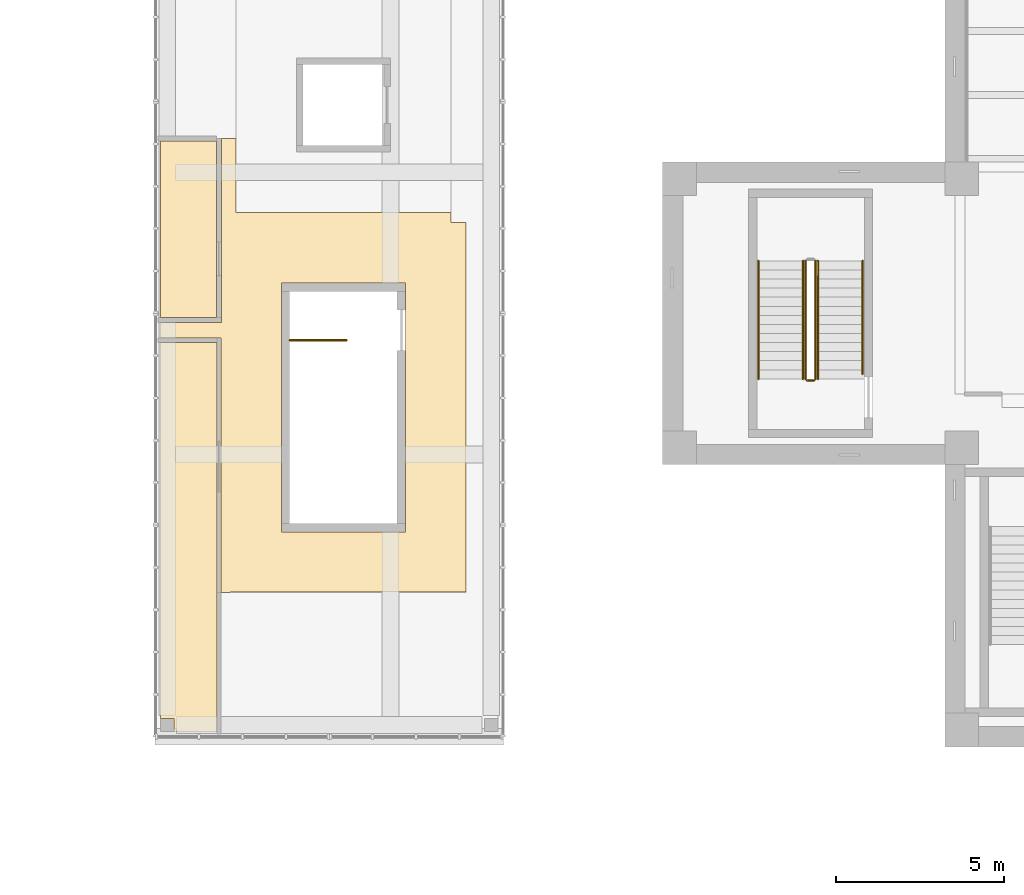
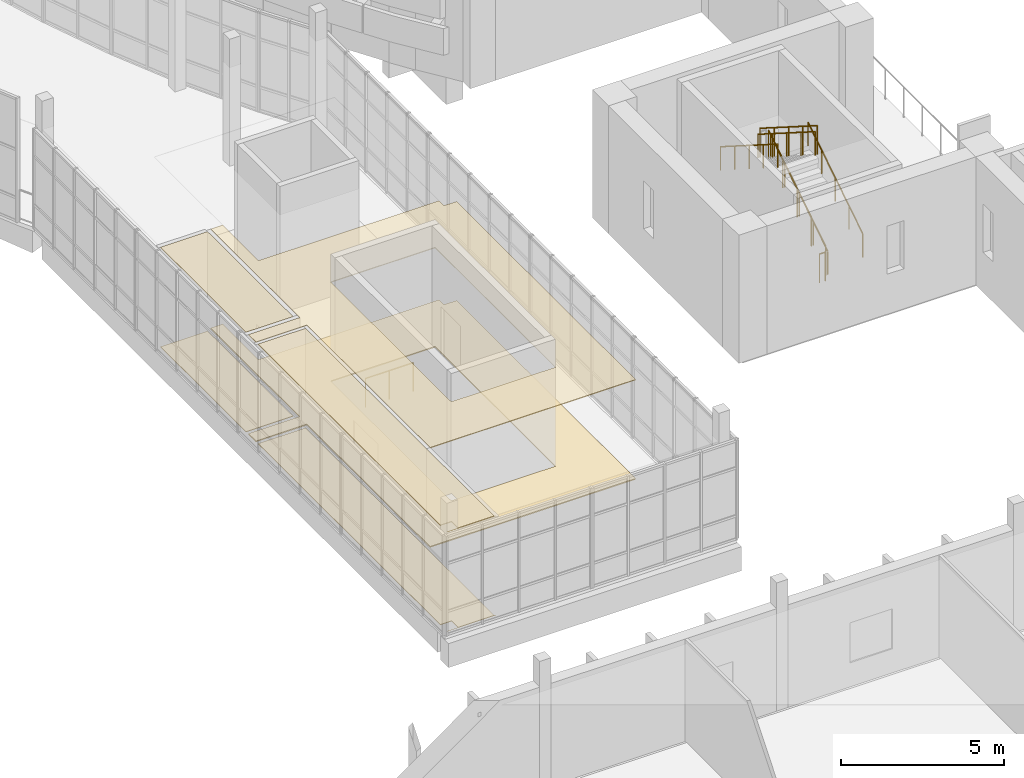
# One storey, part 79 of 103: 8 railings, 6 coverings.
"""IFC4 building model written with IfcOpenShell, lengths in metres."""

from ifc_helpers import new_model, si_unit, direction, frame, origin, origin_2d, place, context, subcontext, project, spatial, polyline, circle, outline, extrude, material, layer, layer_set, type_object, element, save


model = new_model("IFC4")

# Units and contexts
model_context = context("Model", 3, precision=1e-05, world=origin(), true_north=direction((0.0, 1.0)))
body_context = subcontext(model_context, "Body", "Model", "MODEL_VIEW")
ifc_project = project(units=[si_unit("LENGTHUNIT", "METRE"), si_unit("AREAUNIT", "SQUARE_METRE"), si_unit("VOLUMEUNIT", "CUBIC_METRE"), si_unit("PLANEANGLEUNIT", "RADIAN"), si_unit("MASSUNIT", "GRAM", prefix="KILO")], contexts=[model_context])

# Site, building, storey
site_placement = place(None, origin())
site = spatial("IfcSite", under=ifc_project, at=site_placement, CompositionType="ELEMENT")
building_placement = place(site_placement, origin())
building = spatial("IfcBuilding", under=site, at=building_placement, Name="Larchfold Concert Hall", CompositionType="ELEMENT")
storey_placement = place(building_placement, frame((0.0, 0.0, 9.60009765625)))
storey = spatial("IfcBuildingStorey", under=building, at=storey_placement, Name="L02", CompositionType="ELEMENT", Elevation=9.60009765625)

# Coverings
ifc_material_1 = material(Name="Mineral fibre ceiling tile")
ifc_layer_1 = layer(ifc_material_1, 0.02001953125)
ifc_layer_set_1 = layer_set([ifc_layer_1], Name="Mineral fibre ceiling tile")
covering_type_1 = type_object("IfcCoveringType", Name="Ceiling mineral fibre tile 20", PredefinedType="CEILING", material=ifc_layer_set_1)
covering_1_placement = place(storey_placement, frame((0.0, 0.0, 3.72998046875)))
element("IfcCovering", 1, at=covering_1_placement, inside=storey, type_object=covering_type_1, Name="Ceiling Garden Store", PredefinedType="CEILING", context=body_context, shape_type="SweptSolid", body=[
    extrude(outline(polyline([(10.558349609375, 51.925048828125), (10.558349609375, 46.675048828125), (12.22509765625, 46.675048828125), (12.22509765625, 51.925048828125), (10.558349609375, 51.925048828125)])), origin(), (0.0, 0.0, 1.0), 0.02001953125),
])
ifc_material_2 = material(Name="Plasterboard ceiling lining")
ifc_layer_2 = layer(ifc_material_2, 0.030029296875)
ifc_layer_set_2 = layer_set([ifc_layer_2], Name="Plasterboard ceiling lining")
covering_type_2 = type_object("IfcCoveringType", Name="Ceiling suspended plasterboard 30", PredefinedType="CEILING", material=ifc_layer_set_2)
covering_2_placement = place(storey_placement, frame((0.0, 0.0, 3.719970703125)))
element("IfcCovering", 2, at=covering_2_placement, inside=storey, type_object=covering_type_2, Name="Ceiling Foyer 04", PredefinedType="CEILING", context=body_context, shape_type="SweptSolid", body=[
    extrude(outline(polyline([(10.558349609375, 46.525146484375), (10.558349609375, 46.0625), (12.362548828125, 46.0625), (12.362548828125, 38.50048828125), (19.649169921875, 38.5009765625), (19.649169921875, 49.4990234375), (19.199462890625, 49.4990234375), (19.199462890625, 49.800048828125), (12.800048828125, 49.800048828125), (12.800048828125, 51.99951171875), (12.375, 51.99951171875), (12.375, 46.525146484375), (10.558349609375, 46.525146484375)]), holes=[polyline([(14.14990234375, 40.300048828125), (14.14990234375, 47.699951171875), (17.85009765625, 47.699951171875), (17.85009765625, 40.300048828125), (14.14990234375, 40.300048828125)])]), origin(), (0.0, 0.0, 1.0), 0.030029296875),
])
covering_3_placement = place(storey_placement, frame((0.0, 0.0, 3.719970703125)))
element("IfcCovering", 3, at=covering_3_placement, inside=storey, type_object=covering_type_2, Name="Ceiling Winter Garden Terrace Cafe", PredefinedType="CEILING", context=body_context, shape_type="SweptSolid", body=[
    extrude(outline(polyline([(12.300048828125, 34.349853515625), (12.237548828125, 34.35009765625), (12.237548828125, 45.9375), (10.558349609375, 45.9375), (10.558349609375, 34.75), (10.9580078125, 34.75), (10.9580078125, 34.35009765625), (10.558349609375, 34.349853515625), (12.300048828125, 34.349853515625)])), origin(), (0.0, 0.0, 1.0), 0.030029296875),
])
ifc_material_3 = material(Name="Polished terrazzo")
ifc_layer_3 = layer(ifc_material_3, 0.0400390625)
ifc_layer_set_3 = layer_set([ifc_layer_3], Name="Polished terrazzo")
covering_type_3 = type_object("IfcCoveringType", Name="Floor finish terrazzo 40", PredefinedType="FLOORING", material=ifc_layer_set_3)
covering_4_placement = place(storey_placement, origin())
element("IfcCovering", 4, at=covering_4_placement, inside=storey, type_object=covering_type_3, Name="Floor finish Foyer 04", PredefinedType="FLOORING", context=body_context, shape_type="SweptSolid", body=[
    extrude(outline(polyline([(10.558349609375, 46.525146484375), (10.558349609375, 46.0625), (12.362548828125, 46.0625), (12.362548828125, 38.50048828125), (19.649169921875, 38.5009765625), (19.649169921875, 49.4990234375), (19.199462890625, 49.4990234375), (19.199462890625, 49.800048828125), (12.800048828125, 49.800048828125), (12.800048828125, 51.99951171875), (12.375, 51.99951171875), (12.375, 46.525146484375), (10.558349609375, 46.525146484375)]), holes=[polyline([(14.14990234375, 40.300048828125), (14.14990234375, 47.699951171875), (17.85009765625, 47.699951171875), (17.85009765625, 40.300048828125), (14.14990234375, 40.300048828125)])]), origin(), (0.0, 0.0, 1.0), 0.0400390625),
])
ifc_material_4 = material(Name="Linoleum sheet")
ifc_layer_4 = layer(ifc_material_4, 0.02001953125)
ifc_layer_set_4 = layer_set([ifc_layer_4], Name="Linoleum sheet")
covering_type_4 = type_object("IfcCoveringType", Name="Floor finish vinyl 20", PredefinedType="FLOORING", material=ifc_layer_set_4)
covering_5_placement = place(storey_placement, origin())
element("IfcCovering", 5, at=covering_5_placement, inside=storey, type_object=covering_type_4, Name="Floor finish Winter Garden Terrace Cafe", PredefinedType="FLOORING", context=body_context, shape_type="SweptSolid", body=[
    extrude(outline(polyline([(12.300048828125, 34.349853515625), (12.237548828125, 34.35009765625), (12.237548828125, 45.9375), (10.558349609375, 45.9375), (10.558349609375, 34.75), (10.9580078125, 34.75), (10.9580078125, 34.35009765625), (10.558349609375, 34.349853515625), (12.300048828125, 34.349853515625)])), origin(), (0.0, 0.0, 1.0), 0.02001953125),
])
covering_6_placement = place(storey_placement, origin())
element("IfcCovering", 6, at=covering_6_placement, inside=storey, type_object=covering_type_4, Name="Floor finish Garden Store", PredefinedType="FLOORING", context=body_context, shape_type="SweptSolid", body=[
    extrude(outline(polyline([(10.558349609375, 51.925048828125), (10.558349609375, 46.675048828125), (12.22509765625, 46.675048828125), (12.22509765625, 51.925048828125), (10.558349609375, 51.925048828125)])), origin(), (0.0, 0.0, 1.0), 0.02001953125),
])

# Railings
ifc_material_5 = material(Name="Stainless steel balustrade", Category="steel")
railing_type_1 = type_object("IfcRailingType", Name="Stair guard 1100", PredefinedType="GUARDRAIL", material=ifc_material_5)
railing_1_placement = place(storey_placement, frame((30.050048828125, 44.85009765625, 0.17138671875)))
element("IfcRailing", 7, at=railing_1_placement, inside=storey, type_object=railing_type_1, Name="Guard GR0036", PredefinedType="GUARDRAIL", context=body_context, shape_type="SweptSolid", body=[
    extrude(circle(Radius=0.02392578125, at=origin_2d()), frame((0.0, 0.0, 1.076171875), z_axis=(0.0, 0.844219563411, 0.53599750816), x_axis=(-1.0, 0.0, 0.0)), (0.0, 0.0, 1.0), 4.15771484375),
    extrude(circle(Radius=0.02099609375, at=origin_2d()), origin(), (0.0, 0.0, 1.0), 1.052001953125),
    extrude(circle(Radius=0.02099609375, at=origin_2d()), frame((0.0, 0.87744140625, 0.55712890625)), (0.0, 0.0, 1.0), 1.052001953125),
    extrude(circle(Radius=0.02099609375, at=origin_2d()), frame((0.0, 1.7548828125, 1.1142578125)), (0.0, 0.0, 1.0), 1.052001953125),
    extrude(circle(Radius=0.02099609375, at=origin_2d()), frame((0.0, 2.632568359375, 1.67138671875)), (0.0, 0.0, 1.0), 1.052001953125),
    extrude(circle(Radius=0.02099609375, at=origin_2d()), frame((0.0, 3.510009765625, 2.228515625)), (0.0, 0.0, 1.0), 1.052001953125),
])
railing_2_placement = place(storey_placement, frame((29.75, 48.360107421875, 2.5712890625)))
element("IfcRailing", 8, at=railing_2_placement, inside=storey, type_object=railing_type_1, Name="Guard GR0038", PredefinedType="GUARDRAIL", context=body_context, shape_type="SweptSolid", body=[
    extrude(circle(Radius=0.02392578125, at=origin_2d()), frame((0.0, 0.0, 1.076171875), z_axis=(0.0, -0.844219563411, 0.53599750816), x_axis=(1.0, 0.0, 0.0)), (0.0, 0.0, 1.0), 4.15771484375),
    extrude(circle(Radius=0.02099609375, at=origin_2d()), origin(), (0.0, 0.0, 1.0), 1.052001953125),
    extrude(circle(Radius=0.02099609375, at=origin_2d()), frame((0.0, -0.87744140625, 0.55712890625)), (0.0, 0.0, 1.0), 1.052001953125),
    extrude(circle(Radius=0.02099609375, at=origin_2d()), frame((0.0, -1.7548828125, 1.1142578125)), (0.0, 0.0, 1.0), 1.052001953125),
    extrude(circle(Radius=0.02099609375, at=origin_2d()), frame((0.0, -2.632568359375, 1.67138671875)), (0.0, 0.0, 1.0), 1.052001953125),
    extrude(circle(Radius=0.02099609375, at=origin_2d()), frame((0.0, -3.510009765625, 2.228515625)), (0.0, 0.0, 1.0), 1.052001953125),
])
railing_3_placement = place(storey_placement, frame((30.0, 44.800048828125, 0.0)))
element("IfcRailing", 9, at=railing_3_placement, inside=storey, type_object=railing_type_1, Name="Guard GR0039", PredefinedType="GUARDRAIL", context=body_context, shape_type="SweptSolid", body=[
    extrude(circle(Radius=0.02392578125, at=origin_2d()), frame((0.0, 0.0, 1.076171875), z_axis=(-1.0, 0.0, 0.0), x_axis=(0.0, -1.0, 0.0)), (0.0, 0.0, 1.0), 0.199951171875),
    extrude(circle(Radius=0.02099609375, at=origin_2d()), origin(), (0.0, 0.0, 1.0), 1.052001953125),
    extrude(circle(Radius=0.02099609375, at=origin_2d()), frame((-0.199951171875, 0.0, 0.0)), (0.0, 0.0, 1.0), 1.052001953125),
])
railing_4_placement = place(storey_placement, frame((14.39990234375, 46.0, 0.0)))
element("IfcRailing", 10, at=railing_4_placement, inside=storey, type_object=railing_type_1, Name="Guard GR0084", PredefinedType="GUARDRAIL", context=body_context, shape_type="SweptSolid", body=[
    extrude(circle(Radius=0.02392578125, at=origin_2d()), frame((0.0, 0.0, 1.076171875), z_axis=(1.0, 0.0, 0.0), x_axis=(0.0, 1.0, 0.0)), (0.0, 0.0, 1.0), 1.699951171875),
    extrude(circle(Radius=0.02099609375, at=origin_2d()), origin(), (0.0, 0.0, 1.0), 1.052001953125),
    extrude(circle(Radius=0.02099609375, at=origin_2d()), frame((0.85009765625, 0.0, 0.0)), (0.0, 0.0, 1.0), 1.052001953125),
    extrude(circle(Radius=0.02099609375, at=origin_2d()), frame((1.699951171875, 0.0, 0.0)), (0.0, 0.0, 1.0), 1.052001953125),
])
ifc_material_6 = material(Name="Stainless steel handrail", Category="steel")
railing_type_2 = type_object("IfcRailingType", Name="Stair handrail 900", PredefinedType="HANDRAIL", material=ifc_material_6)
railing_5_placement = place(storey_placement, frame((31.449951171875, 45.000244140625, 0.2666015625)))
element("IfcRailing", 11, at=railing_5_placement, inside=storey, type_object=railing_type_2, Name="Handrail HR0033", PredefinedType="HANDRAIL", context=body_context, shape_type="SweptSolid", body=[
    extrude(circle(Radius=0.02392578125, at=origin_2d()), frame((0.0, 0.0, 0.8759765625), z_axis=(0.0, 0.844206646714, 0.536017851983), x_axis=(-1.0, 0.0, 0.0)), (0.0, 0.0, 1.0), 3.97998046875),
    extrude(circle(Radius=0.02099609375, at=origin_2d()), origin(), (0.0, 0.0, 1.0), 0.851806640625),
    extrude(circle(Radius=0.02099609375, at=origin_2d()), frame((0.0, 0.83984375, 0.533203125)), (0.0, 0.0, 1.0), 0.851806640625),
    extrude(circle(Radius=0.02099609375, at=origin_2d()), frame((0.0, 1.679931640625, 1.066650390625)), (0.0, 0.0, 1.0), 0.851806640625),
    extrude(circle(Radius=0.02099609375, at=origin_2d()), frame((0.0, 2.52001953125, 1.60009765625)), (0.0, 0.0, 1.0), 0.851806640625),
    extrude(circle(Radius=0.02099609375, at=origin_2d()), frame((0.0, 3.35986328125, 2.13330078125)), (0.0, 0.0, 1.0), 0.851806640625),
])
railing_6_placement = place(storey_placement, frame((28.35009765625, 48.360107421875, 2.5712890625)))
element("IfcRailing", 12, at=railing_6_placement, inside=storey, type_object=railing_type_2, Name="Handrail HR0034", PredefinedType="HANDRAIL", context=body_context, shape_type="SweptSolid", body=[
    extrude(circle(Radius=0.02392578125, at=origin_2d()), frame((0.0, 0.0, 0.8759765625), z_axis=(0.0, -0.844219563411, 0.53599750816), x_axis=(1.0, 0.0, 0.0)), (0.0, 0.0, 1.0), 4.15771484375),
    extrude(circle(Radius=0.02099609375, at=origin_2d()), origin(), (0.0, 0.0, 1.0), 0.851806640625),
    extrude(circle(Radius=0.02099609375, at=origin_2d()), frame((0.0, -0.87744140625, 0.55712890625)), (0.0, 0.0, 1.0), 0.851806640625),
    extrude(circle(Radius=0.02099609375, at=origin_2d()), frame((0.0, -1.7548828125, 1.1142578125)), (0.0, 0.0, 1.0), 0.851806640625),
    extrude(circle(Radius=0.02099609375, at=origin_2d()), frame((0.0, -2.632568359375, 1.67138671875)), (0.0, 0.0, 1.0), 0.851806640625),
    extrude(circle(Radius=0.02099609375, at=origin_2d()), frame((0.0, -3.510009765625, 2.228515625)), (0.0, 0.0, 1.0), 0.851806640625),
])
railing_7_placement = place(storey_placement, frame((30.1201171875, 44.85009765625, 0.17138671875)))
element("IfcRailing", 13, at=railing_7_placement, inside=storey, type_object=railing_type_2, Name="Handrail HR0035", PredefinedType="HANDRAIL", context=body_context, shape_type="SweptSolid", body=[
    extrude(circle(Radius=0.02392578125, at=origin_2d()), frame((0.0, 0.0, 0.8759765625), z_axis=(0.0, 0.844219563411, 0.53599750816), x_axis=(-1.0, 0.0, 0.0)), (0.0, 0.0, 1.0), 4.15771484375),
    extrude(circle(Radius=0.02099609375, at=origin_2d()), origin(), (0.0, 0.0, 1.0), 0.851806640625),
    extrude(circle(Radius=0.02099609375, at=origin_2d()), frame((0.0, 0.87744140625, 0.55712890625)), (0.0, 0.0, 1.0), 0.851806640625),
    extrude(circle(Radius=0.02099609375, at=origin_2d()), frame((0.0, 1.7548828125, 1.1142578125)), (0.0, 0.0, 1.0), 0.851806640625),
    extrude(circle(Radius=0.02099609375, at=origin_2d()), frame((0.0, 2.632568359375, 1.67138671875)), (0.0, 0.0, 1.0), 0.851806640625),
    extrude(circle(Radius=0.02099609375, at=origin_2d()), frame((0.0, 3.510009765625, 2.228515625)), (0.0, 0.0, 1.0), 0.851806640625),
])
railing_8_placement = place(storey_placement, frame((29.679931640625, 48.360107421875, 2.5712890625)))
element("IfcRailing", 14, at=railing_8_placement, inside=storey, type_object=railing_type_2, Name="Handrail HR0036", PredefinedType="HANDRAIL", context=body_context, shape_type="SweptSolid", body=[
    extrude(circle(Radius=0.02392578125, at=origin_2d()), frame((0.0, 0.0, 0.8759765625), z_axis=(0.0, -0.844219563411, 0.53599750816), x_axis=(1.0, 0.0, 0.0)), (0.0, 0.0, 1.0), 4.15771484375),
    extrude(circle(Radius=0.02099609375, at=origin_2d()), origin(), (0.0, 0.0, 1.0), 0.851806640625),
    extrude(circle(Radius=0.02099609375, at=origin_2d()), frame((0.0, -0.87744140625, 0.55712890625)), (0.0, 0.0, 1.0), 0.851806640625),
    extrude(circle(Radius=0.02099609375, at=origin_2d()), frame((0.0, -1.7548828125, 1.1142578125)), (0.0, 0.0, 1.0), 0.851806640625),
    extrude(circle(Radius=0.02099609375, at=origin_2d()), frame((0.0, -2.632568359375, 1.67138671875)), (0.0, 0.0, 1.0), 0.851806640625),
    extrude(circle(Radius=0.02099609375, at=origin_2d()), frame((0.0, -3.510009765625, 2.228515625)), (0.0, 0.0, 1.0), 0.851806640625),
])

save(model, "model.ifc")
